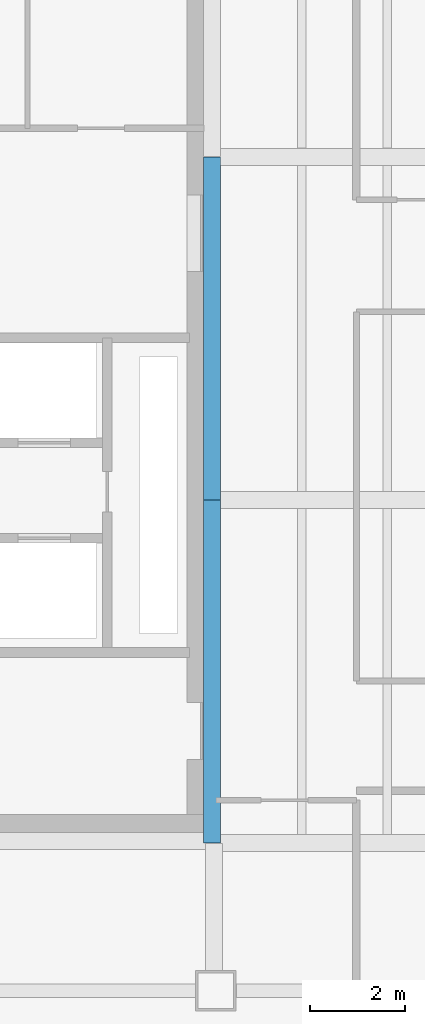
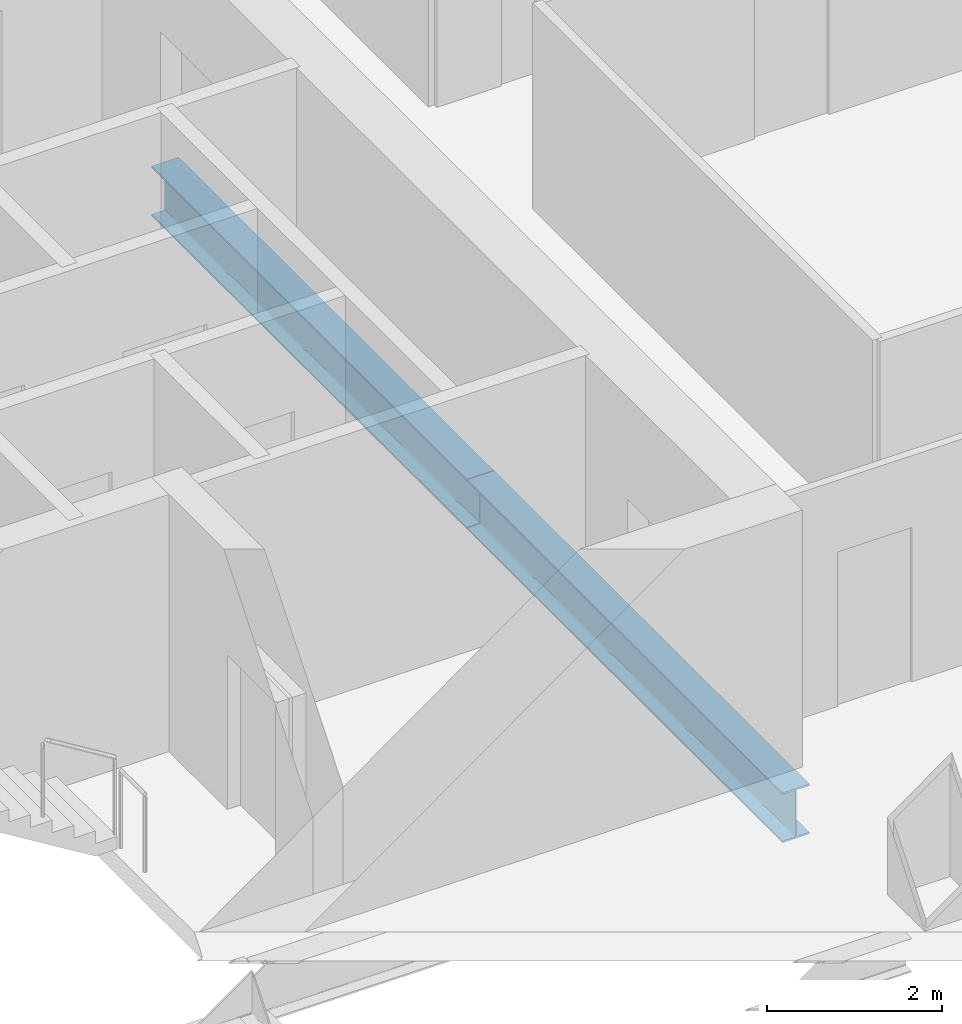
# One storey, part 3 of 23: 2 beams.
"""IFC4 building model written with IfcOpenShell, lengths in metres."""

from ifc_helpers import new_model, si_unit, direction, frame, origin, origin_2d, place, context, subcontext, project, spatial, i_section, extrude, material, material_profile, profile_set, type_object, element, save


model = new_model("IFC4")

# Units and contexts
model_context = context("Model", 3, precision=1e-05, world=origin(), true_north=direction((0.0, 1.0)))
body_context = subcontext(model_context, "Body", "Model", "MODEL_VIEW")
ifc_project = project(units=[si_unit("LENGTHUNIT", "METRE"), si_unit("AREAUNIT", "SQUARE_METRE"), si_unit("VOLUMEUNIT", "CUBIC_METRE"), si_unit("PLANEANGLEUNIT", "RADIAN"), si_unit("MASSUNIT", "GRAM", prefix="KILO")], contexts=[model_context])

# Site, building, storey
site_placement = place(None, origin())
site = spatial("IfcSite", under=ifc_project, at=site_placement, CompositionType="ELEMENT")
building_placement = place(site_placement, origin())
building = spatial("IfcBuilding", under=site, at=building_placement, Name="Cobrela Telecom Tower", CompositionType="ELEMENT")
storey_placement = place(building_placement, frame((0.0, 0.0, 159.949951171875)))
storey = spatial("IfcBuildingStorey", under=building, at=storey_placement, Name="L40", CompositionType="ELEMENT", Elevation=159.949951171875)

# Beams
ifc_material = material(Name="Steel ASTM A992 Grade 50", Category="steel")
ifc_material_profile = material_profile(ifc_material, i_section(OverallWidth=0.35595703125, OverallDepth=0.696044921875, WebThickness=0.015380859375, FlangeThickness=0.024658203125, FilletRadius=0.01806640625, at=origin_2d()), Name="W27X146")
ifc_profile_set = profile_set([ifc_material_profile], Name="Steel ASTM A992 Grade 50")
beam_type = type_object("IfcBeamType", Name="BM-GIRD-05", PredefinedType="USERDEFINED", material=ifc_profile_set)
for number, where, z_axis, x_axis, name in (
    (1, (14.320068359375, 7.205078125, -0.617919921875), (0.0, 1.0, 0.0), (-1.0, 0.0, 0.0), "L40 Primary Girder Y30"),
    (2, (14.320068359375, 14.405029296875, -0.617919921875), (0.0, 1.0, 0.0), (-1.0, 0.0, 0.0), "L40 Primary Girder Y31"),
):
    element("IfcBeam", number, at=place(storey_placement, frame(where, z_axis=z_axis, x_axis=x_axis)), inside=storey, type_object=beam_type, Name=name, ObjectType="GIRDER", PredefinedType="USERDEFINED", context=body_context, shape_type="SweptSolid", body=[
        extrude(i_section(OverallWidth=0.35595703125, OverallDepth=0.696044921875, WebThickness=0.015380859375, FlangeThickness=0.024658203125, FilletRadius=0.01806640625, at=origin_2d()), origin(), (0.0, 0.0, 1.0), 7.18994140625),
    ])

save(model, "model.ifc")
